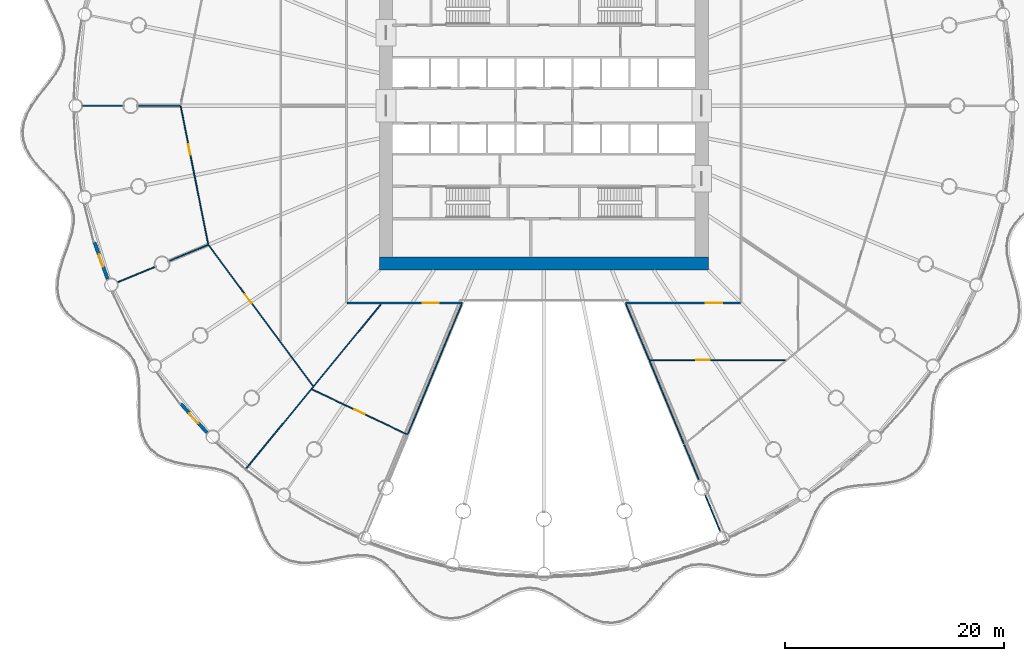
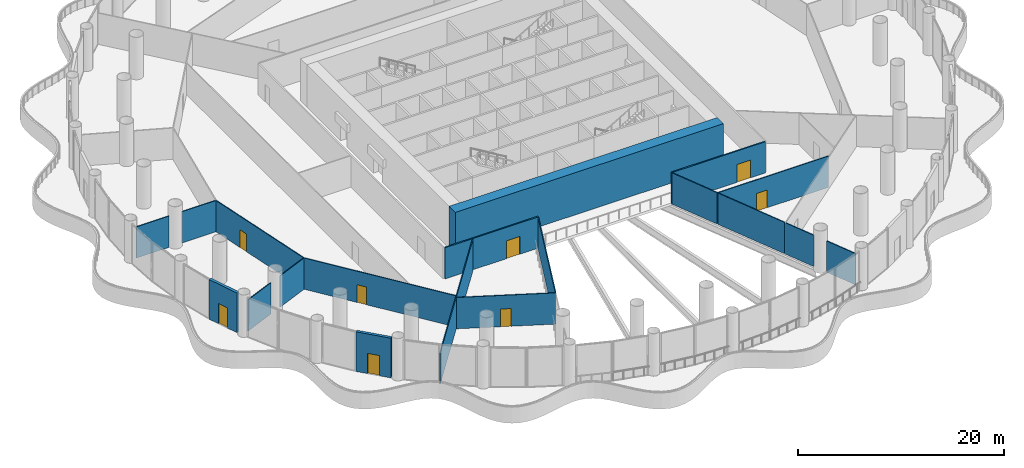
# One storey, part 23 of 36: 19 walls, 8 doors, 8 openings.
"""IFC4 building model written with IfcOpenShell, lengths in metres."""

from ifc_helpers import new_model, si_unit, direction, frame, frame_2d, origin, place, context, subcontext, project, spatial, rectangle, extrude, material, layer, layer_set, type_object, element, fill, save


model = new_model("IFC4")

# Units and contexts
model_context = context("Model", 3, precision=1e-05, world=origin(), true_north=direction((0.0, 1.0)))
body_context = subcontext(model_context, "Body", "Model", "MODEL_VIEW")
ifc_project = project(units=[si_unit("LENGTHUNIT", "METRE"), si_unit("AREAUNIT", "SQUARE_METRE"), si_unit("VOLUMEUNIT", "CUBIC_METRE"), si_unit("PLANEANGLEUNIT", "RADIAN"), si_unit("MASSUNIT", "GRAM", prefix="KILO")], contexts=[model_context])

# Site, building, storey
site_placement = place(None, origin())
site = spatial("IfcSite", under=ifc_project, at=site_placement, CompositionType="ELEMENT")
building_placement = place(site_placement, origin())
building = spatial("IfcBuilding", under=site, at=building_placement, Name="Corvane Civic Tower", CompositionType="ELEMENT")
storey_placement = place(building_placement, frame((0.0, 0.0, 17.0)))
storey = spatial("IfcBuildingStorey", under=building, at=storey_placement, Name="L03", CompositionType="ELEMENT", Elevation=17.0)

# Wall
ifc_material_1 = material(Name="Concrete C80/95", Category="concrete")
ifc_layer_1 = layer(ifc_material_1, 1.199951171875)
ifc_layer_set_1 = layer_set([ifc_layer_1], Name="Concrete C80/95")
wall_type_1 = type_object("IfcWallType", Name="CORE WALL 1200 C80/95", PredefinedType="SHEAR", material=ifc_layer_set_1)
wall_1_placement = place(storey_placement, frame((-15.0, -14.39990234375, 0.0), z_axis=(0.0, 0.0, 1.0), x_axis=(1.0, 0.0, 0.0)))
element("IfcWall", 1, at=wall_1_placement, inside=storey, type_object=wall_type_1, Name="W-L03-core-S", PredefinedType="SHEAR", context=body_context, shape_type="SweptSolid", body=[
    extrude(rectangle(XDim=30.0, YDim=1.199951171875, at=frame_2d((15.0, 0.0))), origin(), (0.0, 0.0, 1.0), 5.0),
])

# Wall, opening, door
ifc_material_2 = material(Name="Terracotta cladding", Category="masonry")
ifc_layer_2 = layer(ifc_material_2, 0.300048828125)
ifc_layer_set_2 = layer_set([ifc_layer_2], Name="Terracotta cladding")
wall_type_2 = type_object("IfcWallType", Name="PODIUM-W-DRUMDOOR-300", PredefinedType="SOLIDWALL", material=ifc_layer_set_2)
wall_2_placement = place(storey_placement, frame((-30.72412109375, -29.83056640625, 0.0), z_axis=(0.0, 0.0, 1.0), x_axis=(-0.671590022694, 0.740922965913, 0.0)))
wall_2 = element("IfcWall", 2, at=wall_2_placement, inside=storey, type_object=wall_type_2, Name="L03 drum door bay wall 21", PredefinedType="SOLIDWALL", context=body_context, shape_type="SweptSolid", body=[
    extrude(rectangle(XDim=3.56005859375, YDim=0.300048828125, at=frame_2d((1.780029296875, 0.0))), origin(), (0.0, 0.0, 1.0), 4.699951171875),
])
opening_1_placement = place(wall_2_placement, frame((1.179931640625, 0.0, 0.0)))
opening_1 = element("IfcOpeningElement", 3, at=opening_1_placement, cuts=wall_2, Name="Opening ED-L03-21", PredefinedType="OPENING", context=body_context, shape_type="SweptSolid", body=[
    extrude(rectangle(XDim=1.199951171875, YDim=2.39990234375, at=frame_2d((0.60009765625, 1.199951171875))), frame((0.0, 0.159912109375, 0.0), z_axis=(0.0, -1.0, 0.0), x_axis=(1.0, 0.0, 0.0)), (0.0, 0.0, 1.0), 0.320068359375),
])
ifc_material_3 = material(Name="Anodised aluminium and glass", Category="aluminium")
door_type_1 = type_object("IfcDoorType", Name="PODIUM-D-BALCONY-1200", OperationType="SINGLE_SWING_LEFT", PredefinedType="DOOR", material=ifc_material_3)
door_1_placement = place(opening_1_placement, origin())
door_1 = element("IfcDoor", 4, at=door_1_placement, inside=storey, type_object=door_type_1, Name="L03 balcony door 21", OperationType="SINGLE_SWING_LEFT", OverallHeight=2.39990234375, OverallWidth=1.199951171875, PredefinedType="DOOR", context=body_context, shape_type="SweptSolid", body=[
    extrude(rectangle(XDim=1.199951171875, YDim=2.39990234375, at=frame_2d((0.60009765625, 1.199951171875))), frame((0.0, 0.02490234375, 0.0), z_axis=(0.0, -1.0, 0.0), x_axis=(1.0, 0.0, 0.0)), (0.0, 0.0, 1.0), 0.050048828125),
])
fill(opening_1, door_1)

wall_3_placement = place(storey_placement, frame((-39.80126953125, -15.80224609375, 0.0), z_axis=(0.0, 0.0, 1.0), x_axis=(-0.336870717414, 0.941550911926, 0.0)))
wall_3 = element("IfcWall", 5, at=wall_3_placement, inside=storey, type_object=wall_type_2, Name="L03 drum door bay wall 23", PredefinedType="SOLIDWALL", context=body_context, shape_type="SweptSolid", body=[
    extrude(rectangle(XDim=3.559814453125, YDim=0.300048828125, at=frame_2d((1.77978515625, 0.0))), origin(), (0.0, 0.0, 1.0), 4.699951171875),
])
opening_2_placement = place(wall_3_placement, frame((1.179931640625, 0.0, 0.0)))
opening_2 = element("IfcOpeningElement", 6, at=opening_2_placement, cuts=wall_3, Name="Opening ED-L03-23", PredefinedType="OPENING", context=body_context, shape_type="SweptSolid", body=[
    extrude(rectangle(XDim=1.199951171875, YDim=2.39990234375, at=frame_2d((0.60009765625, 1.199951171875))), frame((0.0, 0.159912109375, 0.0), z_axis=(0.0, -1.0, 0.0), x_axis=(1.0, 0.0, 0.0)), (0.0, 0.0, 1.0), 0.320068359375),
])
door_2_placement = place(opening_2_placement, origin())
door_2 = element("IfcDoor", 7, at=door_2_placement, inside=storey, type_object=door_type_1, Name="L03 balcony door 23", OperationType="SINGLE_SWING_LEFT", OverallHeight=2.39990234375, OverallWidth=1.199951171875, PredefinedType="DOOR", context=body_context, shape_type="SweptSolid", body=[
    extrude(rectangle(XDim=1.199951171875, YDim=2.39990234375, at=frame_2d((0.60009765625, 1.199951171875))), frame((0.0, 0.02490234375, 0.0), z_axis=(0.0, -1.0, 0.0), x_axis=(1.0, 0.0, 0.0)), (0.0, 0.0, 1.0), 0.050048828125),
])
fill(opening_2, door_2)

# Wall
ifc_material_4 = material(Name="Plasterboard")
ifc_layer_3 = layer(ifc_material_4, 0.10009765625)
ifc_layer_set_3 = layer_set([ifc_layer_3], Name="Plasterboard")
wall_type_3 = type_object("IfcWallType", Name="Partition 100 plasterboard on studs", PredefinedType="PARTITIONING", material=ifc_layer_set_3)
wall_4_placement = place(storey_placement, frame((-27.247314453125, -33.200927734375, 0.0), z_axis=(0.0, 0.0, 1.0), x_axis=(0.634391140533, 0.77301221259, 0.0)))
element("IfcWall", 8, at=wall_4_placement, inside=storey, type_object=wall_type_3, Name="Partition L03.001", PredefinedType="PARTITIONING", context=body_context, shape_type="SweptSolid", body=[
    extrude(rectangle(XDim=19.526611328125, YDim=0.10009765625, at=frame_2d((9.76318359375, 0.0))), origin(), (0.0, 0.0, 1.0), 3.699951171875),
])

# Wall, opening, door
wall_5_placement = place(storey_placement, frame((-21.155517578125, -25.8759765625, 0.0), z_axis=(0.0, 0.0, 1.0), x_axis=(0.903994617977, -0.427543834792, 0.0)))
wall_5 = element("IfcWall", 9, at=wall_5_placement, inside=storey, type_object=wall_type_3, Name="Partition L03.003", PredefinedType="PARTITIONING", context=body_context, shape_type="SweptSolid", body=[
    extrude(rectangle(XDim=9.654296875, YDim=0.10009765625, at=frame_2d((4.8271484375, 0.0))), origin(), (0.0, 0.0, 1.0), 3.699951171875),
])
opening_3_placement = place(wall_5_placement, frame((4.295166015625, 0.0, 0.0)))
opening_3 = element("IfcOpeningElement", 10, at=opening_3_placement, cuts=wall_5, Name="Opening L03.002", PredefinedType="OPENING", context=body_context, shape_type="SweptSolid", body=[
    extrude(rectangle(XDim=1.0, YDim=2.10009765625, at=frame_2d((0.5, 1.050048828125))), frame((0.0, 0.06005859375, 0.0), z_axis=(0.0, -1.0, 0.0), x_axis=(1.0, 0.0, 0.0)), (0.0, 0.0, 1.0), 0.1201171875),
])
ifc_material_5 = material(Name="Timber", Category="wood")
door_type_2 = type_object("IfcDoorType", Name="Single door 1000", OperationType="NOTDEFINED", PredefinedType="DOOR", material=ifc_material_5)
door_3_placement = place(opening_3_placement, frame((1.0, 0.0, 0.0), z_axis=(0.0, 0.0, 1.0), x_axis=(-1.0, 0.0, 0.0)))
door_3 = element("IfcDoor", 11, at=door_3_placement, inside=storey, type_object=door_type_2, Name="Door L03.002", OperationType="SINGLE_SWING_LEFT", OverallHeight=2.10009765625, OverallWidth=1.0, PredefinedType="DOOR", context=body_context, shape_type="SweptSolid", body=[
    extrude(rectangle(XDim=1.0, YDim=2.10009765625, at=frame_2d((0.5, 1.050048828125))), frame((0.0, 0.02490234375, 0.0), z_axis=(0.0, -1.0, 0.0), x_axis=(1.0, 0.0, 0.0)), (0.0, 0.0, 1.0), 0.050048828125),
])
fill(opening_3, door_3)

wall_6_placement = place(storey_placement, frame((-30.592529296875, -12.712890625, 0.0), z_axis=(0.0, 0.0, 1.0), x_axis=(0.595699618926, -0.803207298281, 0.0)))
wall_6 = element("IfcWall", 12, at=wall_6_placement, inside=storey, type_object=wall_type_3, Name="Partition L03.004", PredefinedType="PARTITIONING", context=body_context, shape_type="SweptSolid", body=[
    extrude(rectangle(XDim=16.0009765625, YDim=0.10009765625, at=frame_2d((8.00048828125, 0.0))), origin(), (0.0, 0.0, 1.0), 3.699951171875),
])
opening_4_placement = place(wall_6_placement, frame((5.584228515625, 0.0, 0.0)))
opening_4 = element("IfcOpeningElement", 13, at=opening_4_placement, cuts=wall_6, Name="Opening L03.007", PredefinedType="OPENING", context=body_context, shape_type="SweptSolid", body=[
    extrude(rectangle(XDim=1.0, YDim=2.10009765625, at=frame_2d((0.5, 1.050048828125))), frame((0.0, 0.06005859375, 0.0), z_axis=(0.0, -1.0, 0.0), x_axis=(1.0, 0.0, 0.0)), (0.0, 0.0, 1.0), 0.1201171875),
])
door_4_placement = place(opening_4_placement, frame((1.0, 0.0, 0.0), z_axis=(0.0, 0.0, 1.0), x_axis=(-1.0, 0.0, 0.0)))
door_4 = element("IfcDoor", 14, at=door_4_placement, inside=storey, type_object=door_type_2, Name="Door L03.007", OperationType="SINGLE_SWING_LEFT", OverallHeight=2.10009765625, OverallWidth=1.0, PredefinedType="DOOR", context=body_context, shape_type="SweptSolid", body=[
    extrude(rectangle(XDim=1.0, YDim=2.10009765625, at=frame_2d((0.5, 1.050048828125))), frame((0.0, 0.02490234375, 0.0), z_axis=(0.0, -1.0, 0.0), x_axis=(1.0, 0.0, 0.0)), (0.0, 0.0, 1.0), 0.050048828125),
])
fill(opening_4, door_4)

wall_7_placement = place(storey_placement, frame((9.60986328125, -23.199951171875, 0.0), z_axis=(0.0, 0.0, 1.0), x_axis=(1.0, 0.0, 0.0)))
wall_7 = element("IfcWall", 15, at=wall_7_placement, inside=storey, type_object=wall_type_3, Name="Partition L03.006", PredefinedType="PARTITIONING", context=body_context, shape_type="SweptSolid", body=[
    extrude(rectangle(XDim=12.42138671875, YDim=0.10009765625, at=frame_2d((6.210693359375, 0.0))), origin(), (0.0, 0.0, 1.0), 3.699951171875),
])
opening_5_placement = place(wall_7_placement, frame((4.31396484375, 0.0, 0.0)))
opening_5 = element("IfcOpeningElement", 16, at=opening_5_placement, cuts=wall_7, Name="Opening L03.004", PredefinedType="OPENING", context=body_context, shape_type="SweptSolid", body=[
    extrude(rectangle(XDim=1.199951171875, YDim=2.10009765625, at=frame_2d((0.60009765625, 1.050048828125))), frame((0.0, 0.06005859375, 0.0), z_axis=(0.0, -1.0, 0.0), x_axis=(1.0, 0.0, 0.0)), (0.0, 0.0, 1.0), 0.1201171875),
])
ifc_material_6 = material(Name="Timber", Category="wood")
door_type_3 = type_object("IfcDoorType", Name="Double door 1200", OperationType="NOTDEFINED", PredefinedType="DOOR", material=ifc_material_6)
door_5_placement = place(opening_5_placement, frame((1.199951171875, 0.0, 0.0), z_axis=(0.0, 0.0, 1.0), x_axis=(-1.0, 0.0, 0.0)))
door_5 = element("IfcDoor", 17, at=door_5_placement, inside=storey, type_object=door_type_3, Name="Door L03.004", OperationType="DOUBLE_DOOR_SINGLE_SWING", OverallHeight=2.10009765625, OverallWidth=1.199951171875, PredefinedType="DOOR", context=body_context, shape_type="SweptSolid", body=[
    extrude(rectangle(XDim=1.199951171875, YDim=2.10009765625, at=frame_2d((0.60009765625, 1.050048828125))), frame((0.0, 0.02490234375, 0.0), z_axis=(0.0, -1.0, 0.0), x_axis=(1.0, 0.0, 0.0)), (0.0, 0.0, 1.0), 0.050048828125),
])
fill(opening_5, door_5)

# Walls
wall_8_placement = place(storey_placement, frame((-38.885986328125, -16.107177734375, 0.0), z_axis=(0.0, 0.0, 1.0), x_axis=(0.923877746385, 0.382687744427, 0.0)))
element("IfcWall", 18, at=wall_8_placement, inside=storey, type_object=wall_type_3, Name="Partition L03.015", PredefinedType="PARTITIONING", context=body_context, shape_type="SweptSolid", body=[
    extrude(rectangle(XDim=3.6796875, YDim=0.10009765625, at=frame_2d((1.83984375, 0.0))), origin(), (0.0, 0.0, 1.0), 3.699951171875),
])
wall_9_placement = place(storey_placement, frame((-34.17431640625, -14.155517578125, 0.0), z_axis=(0.0, 0.0, 1.0), x_axis=(0.923878616679, 0.382685643372, 0.0)))
element("IfcWall", 19, at=wall_9_placement, inside=storey, type_object=wall_type_3, Name="Partition L03.016", PredefinedType="PARTITIONING", context=body_context, shape_type="SweptSolid", body=[
    extrude(rectangle(XDim=3.810546875, YDim=0.10009765625, at=frame_2d((1.9052734375, 0.0))), origin(), (0.0, 0.0, 1.0), 3.699951171875),
])

# Wall, opening, door
wall_10_placement = place(storey_placement, frame((-33.13037109375, -0.040283203125, 0.0), z_axis=(0.0, 0.0, 1.0), x_axis=(0.195096483335, -0.980784054821, 0.0)))
wall_10 = element("IfcWall", 20, at=wall_10_placement, inside=storey, type_object=wall_type_3, Name="Partition L03.017", PredefinedType="PARTITIONING", context=body_context, shape_type="SweptSolid", body=[
    extrude(rectangle(XDim=12.847900390625, YDim=0.10009765625, at=frame_2d((6.423828125, 0.0))), origin(), (0.0, 0.0, 1.0), 3.699951171875),
])
opening_6_placement = place(wall_10_placement, frame((3.533447265625, 0.0, 0.0)))
opening_6 = element("IfcOpeningElement", 21, at=opening_6_placement, cuts=wall_10, Name="Opening L03.008", PredefinedType="OPENING", context=body_context, shape_type="SweptSolid", body=[
    extrude(rectangle(XDim=1.0, YDim=2.10009765625, at=frame_2d((0.5, 1.050048828125))), frame((0.0, 0.06005859375, 0.0), z_axis=(0.0, -1.0, 0.0), x_axis=(1.0, 0.0, 0.0)), (0.0, 0.0, 1.0), 0.1201171875),
])
door_6_placement = place(opening_6_placement, frame((1.0, 0.0, 0.0), z_axis=(0.0, 0.0, 1.0), x_axis=(-1.0, 0.0, 0.0)))
door_6 = element("IfcDoor", 22, at=door_6_placement, inside=storey, type_object=door_type_2, Name="Door L03.008", OperationType="SINGLE_SWING_LEFT", OverallHeight=2.10009765625, OverallWidth=1.0, PredefinedType="DOOR", context=body_context, shape_type="SweptSolid", body=[
    extrude(rectangle(XDim=1.0, YDim=2.10009765625, at=frame_2d((0.5, 1.050048828125))), frame((0.0, 0.02490234375, 0.0), z_axis=(0.0, -1.0, 0.0), x_axis=(1.0, 0.0, 0.0)), (0.0, 0.0, 1.0), 0.050048828125),
])
fill(opening_6, door_6)

# Walls
wall_11_placement = place(storey_placement, frame((-42.090087890625, 0.0, 0.0), z_axis=(0.0, 0.0, 1.0), x_axis=(1.0, 0.0, 0.0)))
element("IfcWall", 23, at=wall_11_placement, inside=storey, type_object=wall_type_3, Name="Partition L03.018", PredefinedType="PARTITIONING", context=body_context, shape_type="SweptSolid", body=[
    extrude(rectangle(XDim=3.68017578125, YDim=0.10009765625, at=frame_2d((1.840087890625, 0.0))), origin(), (0.0, 0.0, 1.0), 3.699951171875),
])
wall_12_placement = place(storey_placement, frame((-36.989990234375, 0.0, 0.0), z_axis=(0.0, 0.0, 1.0), x_axis=(1.0, 0.0, 0.0)))
element("IfcWall", 24, at=wall_12_placement, inside=storey, type_object=wall_type_3, Name="Partition L03.019", PredefinedType="PARTITIONING", context=body_context, shape_type="SweptSolid", body=[
    extrude(rectangle(XDim=3.810546875, YDim=0.10009765625, at=frame_2d((1.9052734375, 0.0))), origin(), (0.0, 0.0, 1.0), 3.699951171875),
])
wall_13_placement = place(storey_placement, frame((12.811767578125, -30.930419921875, 0.0), z_axis=(0.0, 0.0, 1.0), x_axis=(0.382694213551, -0.923875066724, 0.0)))
element("IfcWall", 25, at=wall_13_placement, inside=storey, type_object=wall_type_3, Name="Partition L03.045", PredefinedType="PARTITIONING", context=body_context, shape_type="SweptSolid", body=[
    extrude(rectangle(XDim=3.42138671875, YDim=0.10009765625, at=frame_2d((1.710693359375, 0.0))), origin(), (0.0, 0.0, 1.0), 3.699951171875),
])
wall_14_placement = place(storey_placement, frame((7.50341796875, -18.114990234375, 0.0), z_axis=(0.0, 0.0, 1.0), x_axis=(0.382695109032, -0.923874695791, 0.0)))
element("IfcWall", 26, at=wall_14_placement, inside=storey, type_object=wall_type_3, Name="Partition L03.046", PredefinedType="PARTITIONING", context=body_context, shape_type="SweptSolid", body=[
    extrude(rectangle(XDim=5.464111328125, YDim=0.10009765625, at=frame_2d((2.73193359375, 0.0))), origin(), (0.0, 0.0, 1.0), 3.699951171875),
])
wall_15_placement = place(storey_placement, frame((9.64697265625, -23.2900390625, 0.0), z_axis=(0.0, 0.0, 1.0), x_axis=(0.38269898136, -0.923873091753, 0.0)))
element("IfcWall", 27, at=wall_15_placement, inside=storey, type_object=wall_type_3, Name="Partition L03.047", PredefinedType="PARTITIONING", context=body_context, shape_type="SweptSolid", body=[
    extrude(rectangle(XDim=8.1357421875, YDim=0.10009765625, at=frame_2d((4.06787109375, 0.0))), origin(), (0.0, 0.0, 1.0), 3.699951171875),
])
wall_16_placement = place(storey_placement, frame((14.7333984375, -35.5693359375, 0.0), z_axis=(0.0, 0.0, 1.0), x_axis=(0.382668033682, -0.923885910704, 0.0)))
element("IfcWall", 28, at=wall_16_placement, inside=storey, type_object=wall_type_3, Name="Partition L03.048", PredefinedType="PARTITIONING", context=body_context, shape_type="SweptSolid", body=[
    extrude(rectangle(XDim=3.5, YDim=0.10009765625, at=frame_2d((1.75, 0.0))), origin(), (0.0, 0.0, 1.0), 3.699951171875),
])
wall_17_placement = place(storey_placement, frame((-12.3935546875, -29.92041015625, 0.0), z_axis=(0.0, 0.0, 1.0), x_axis=(0.382694900027, 0.923874782367, 0.0)))
element("IfcWall", 29, at=wall_17_placement, inside=storey, type_object=wall_type_3, Name="Partition L03.051", PredefinedType="PARTITIONING", context=body_context, shape_type="SweptSolid", body=[
    extrude(rectangle(XDim=12.778076171875, YDim=0.10009765625, at=frame_2d((6.38916015625, 0.0))), origin(), (0.0, 0.0, 1.0), 3.699951171875),
])

# Wall, opening, door
ifc_material_7 = material(Name="Plasterboard")
ifc_layer_4 = layer(ifc_material_7, 0.14990234375)
ifc_layer_set_4 = layer_set([ifc_layer_4], Name="Plasterboard")
wall_type_4 = type_object("IfcWallType", Name="Tenancy wall 150 EI 60", PredefinedType="PARTITIONING", material=ifc_layer_set_4)
wall_18_placement = place(storey_placement, frame((-17.925048828125, -18.0, 0.0), z_axis=(0.0, 0.0, 1.0), x_axis=(1.0, 0.0, 0.0)))
wall_18 = element("IfcWall", 30, at=wall_18_placement, inside=storey, type_object=wall_type_4, Name="Partition L03.011", PredefinedType="PARTITIONING", context=body_context, shape_type="SweptSolid", body=[
    extrude(rectangle(XDim=10.46923828125, YDim=0.14990234375, at=frame_2d((5.234619140625, 0.0))), origin(), (0.0, 0.0, 1.0), 3.699951171875),
])
opening_7_placement = place(wall_18_placement, frame((6.857177734375, 0.0, 0.0)))
opening_7 = element("IfcOpeningElement", 31, at=opening_7_placement, cuts=wall_18, Name="Opening L03.003", PredefinedType="OPENING", context=body_context, shape_type="SweptSolid", body=[
    extrude(rectangle(XDim=1.5, YDim=2.10009765625, at=frame_2d((0.75, 1.050048828125))), frame((0.0, 0.0849609375, 0.0), z_axis=(0.0, -1.0, 0.0), x_axis=(1.0, 0.0, 0.0)), (0.0, 0.0, 1.0), 0.169921875),
])
ifc_material_8 = material(Name="Steel and timber", Category="steel")
door_type_4 = type_object("IfcDoorType", Name="Fire door FD60 double 1500", OperationType="NOTDEFINED", PredefinedType="DOOR", material=ifc_material_8)
door_7_placement = place(opening_7_placement, frame((1.5, 0.0, 0.0), z_axis=(0.0, 0.0, 1.0), x_axis=(-1.0, 0.0, 0.0)))
door_7 = element("IfcDoor", 32, at=door_7_placement, inside=storey, type_object=door_type_4, Name="Door L03.003", OperationType="DOUBLE_DOOR_SINGLE_SWING", OverallHeight=2.10009765625, OverallWidth=1.5, PredefinedType="DOOR", context=body_context, shape_type="SweptSolid", body=[
    extrude(rectangle(XDim=1.5, YDim=2.10009765625, at=frame_2d((0.75, 1.050048828125))), frame((0.0, 0.02490234375, 0.0), z_axis=(0.0, -1.0, 0.0), x_axis=(1.0, 0.0, 0.0)), (0.0, 0.0, 1.0), 0.050048828125),
])
fill(opening_7, door_7)

wall_19_placement = place(storey_placement, frame((7.455810546875, -18.0, 0.0), z_axis=(0.0, 0.0, 1.0), x_axis=(1.0, 0.0, 0.0)))
wall_19 = element("IfcWall", 33, at=wall_19_placement, inside=storey, type_object=wall_type_4, Name="Partition L03.012", PredefinedType="PARTITIONING", context=body_context, shape_type="SweptSolid", body=[
    extrude(rectangle(XDim=10.46923828125, YDim=0.14990234375, at=frame_2d((5.234619140625, 0.0))), origin(), (0.0, 0.0, 1.0), 3.699951171875),
])
opening_8_placement = place(wall_19_placement, frame((7.3154296875, 0.0, 0.0)))
opening_8 = element("IfcOpeningElement", 34, at=opening_8_placement, cuts=wall_19, Name="Opening L03.006", PredefinedType="OPENING", context=body_context, shape_type="SweptSolid", body=[
    extrude(rectangle(XDim=1.5, YDim=2.10009765625, at=frame_2d((0.75, 1.050048828125))), frame((0.0, 0.0849609375, 0.0), z_axis=(0.0, -1.0, 0.0), x_axis=(1.0, 0.0, 0.0)), (0.0, 0.0, 1.0), 0.169921875),
])
door_8_placement = place(opening_8_placement, frame((1.5, 0.0, 0.0), z_axis=(0.0, 0.0, 1.0), x_axis=(-1.0, 0.0, 0.0)))
door_8 = element("IfcDoor", 35, at=door_8_placement, inside=storey, type_object=door_type_4, Name="Door L03.006", OperationType="DOUBLE_DOOR_SINGLE_SWING", OverallHeight=2.10009765625, OverallWidth=1.5, PredefinedType="DOOR", context=body_context, shape_type="SweptSolid", body=[
    extrude(rectangle(XDim=1.5, YDim=2.10009765625, at=frame_2d((0.75, 1.050048828125))), frame((0.0, 0.02490234375, 0.0), z_axis=(0.0, -1.0, 0.0), x_axis=(1.0, 0.0, 0.0)), (0.0, 0.0, 1.0), 0.050048828125),
])
fill(opening_8, door_8)

save(model, "model.ifc")
